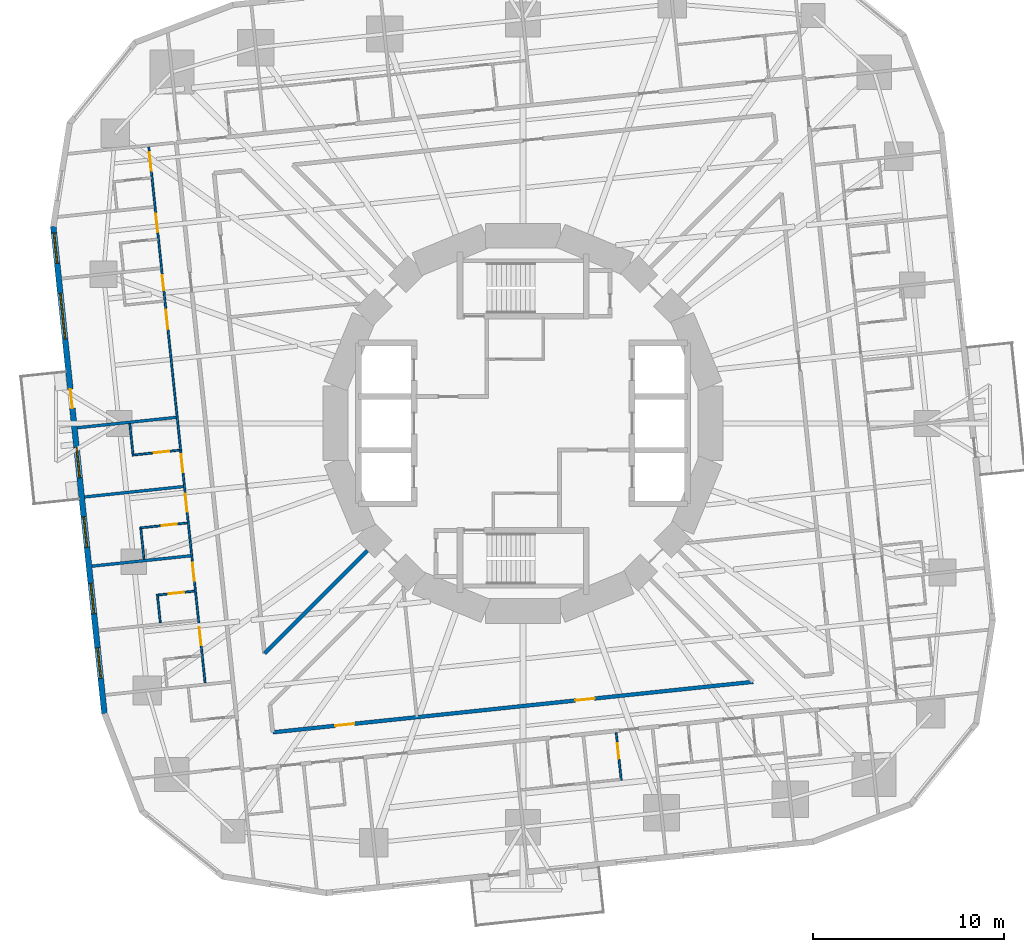
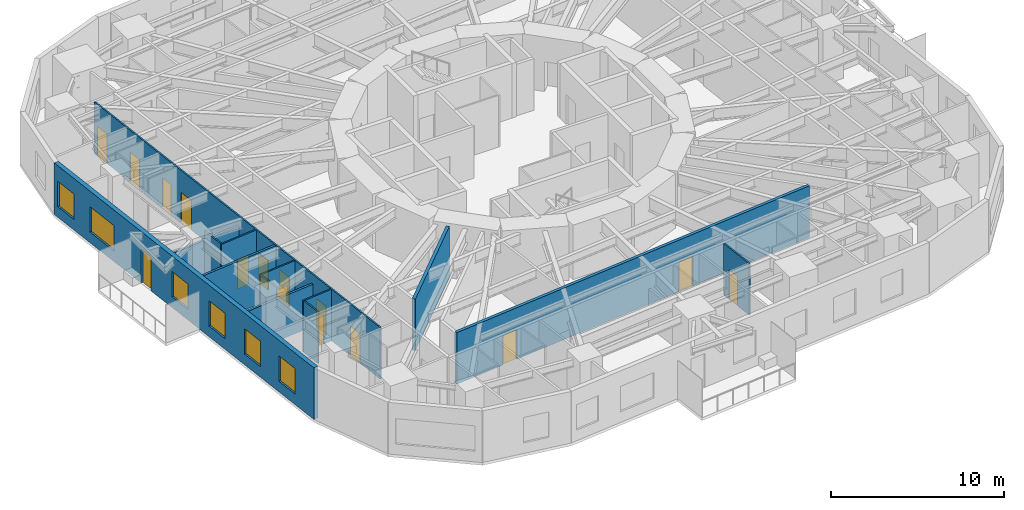
# One storey, part 6 of 14: 15 doors, 14 walls, 6 windows, 21 openings.
"""IFC4 building model written with IfcOpenShell, lengths in metres."""

from ifc_helpers import new_model, si_unit, direction, frame, frame_2d, origin, place, context, subcontext, project, spatial, rectangle, extrude, material, layer, layer_set, type_object, element, fill, save


model = new_model("IFC4")

# Units and contexts
model_context = context("Model", 3, precision=1e-05, world=origin(), true_north=direction((0.0, 1.0)))
body_context = subcontext(model_context, "Body", "Model", "MODEL_VIEW")
ifc_project = project(units=[si_unit("LENGTHUNIT", "METRE"), si_unit("AREAUNIT", "SQUARE_METRE"), si_unit("VOLUMEUNIT", "CUBIC_METRE"), si_unit("PLANEANGLEUNIT", "RADIAN"), si_unit("MASSUNIT", "GRAM", prefix="KILO")], contexts=[model_context])

# Site, building, storey
site_placement = place(None, origin())
site = spatial("IfcSite", under=ifc_project, at=site_placement, CompositionType="ELEMENT")
building_placement = place(site_placement, origin())
building = spatial("IfcBuilding", under=site, at=building_placement, Name="Nakasero Lantern House", CompositionType="ELEMENT")
storey_placement = place(building_placement, frame((0.0, 0.0, 87.449951171875)))
storey = spatial("IfcBuildingStorey", under=building, at=storey_placement, Name="L21", CompositionType="ELEMENT", Elevation=87.449951171875)

# Wall, openings, doors
ifc_material_1 = material(Name="Blockwork", Category="masonry")
ifc_layer_1 = layer(ifc_material_1, 0.10009765625)
ifc_layer_set_1 = layer_set([ifc_layer_1], Name="Cluster hall wall 100")
wall_type_1 = type_object("IfcWallType", Name="Cluster hall wall 100", PredefinedType="PARTITIONING", material=ifc_layer_set_1)
wall_1_placement = place(storey_placement, frame((-19.568603515625, 14.458740234375, 0.0), z_axis=(0.0, 0.0, 1.0), x_axis=(0.10452880444, -0.99452185951, 0.0)))
wall_1 = element("IfcWall", 1, at=wall_1_placement, inside=storey, type_object=wall_type_1, Name="Cluster hall wall L21 HW2-0", PredefinedType="PARTITIONING", context=body_context, shape_type="SweptSolid", body=[
    extrude(rectangle(XDim=28.191162109375, YDim=0.10009765625, at=frame_2d((14.095703125, 0.0))), origin(), (0.0, 0.0, 1.0), 3.650146484375),
])
opening_1_placement = place(wall_1_placement, frame((8.57568359375, 0.0, 0.0)))
opening_1 = element("IfcOpeningElement", 2, at=opening_1_placement, cuts=wall_1, Name="Opening D03", PredefinedType="OPENING", context=body_context, shape_type="SweptSolid", body=[
    extrude(rectangle(XDim=1.0, YDim=2.10009765625, at=frame_2d((0.5, 1.050048828125))), frame((0.0, 0.070068359375, 0.0), z_axis=(0.0, -1.0, 0.0), x_axis=(1.0, 0.0, 0.0)), (0.0, 0.0, 1.0), 0.14013671875),
])
opening_2_placement = place(wall_1_placement, frame((6.75048828125, 0.0, 0.0)))
opening_2 = element("IfcOpeningElement", 3, at=opening_2_placement, cuts=wall_1, Name="Opening D02", PredefinedType="OPENING", context=body_context, shape_type="SweptSolid", body=[
    extrude(rectangle(XDim=0.800048828125, YDim=2.10009765625, at=frame_2d((0.39990234375, 1.050048828125))), frame((0.0, 0.070068359375, 0.0), z_axis=(0.0, -1.0, 0.0), x_axis=(1.0, 0.0, 0.0)), (0.0, 0.0, 1.0), 0.14013671875),
])
opening_3_placement = place(wall_1_placement, frame((0.300048828125, 0.0, 0.0)))
opening_3 = element("IfcOpeningElement", 4, at=opening_3_placement, cuts=wall_1, Name="Opening D01", PredefinedType="OPENING", context=body_context, shape_type="SweptSolid", body=[
    extrude(rectangle(XDim=0.949951171875, YDim=2.10009765625, at=frame_2d((0.47509765625, 1.050048828125))), frame((0.0, 0.070068359375, 0.0), z_axis=(0.0, -1.0, 0.0), x_axis=(1.0, 0.0, 0.0)), (0.0, 0.0, 1.0), 0.14013671875),
])
opening_4_placement = place(wall_1_placement, frame((3.525390625, 0.0, 0.0)))
opening_4 = element("IfcOpeningElement", 5, at=opening_4_placement, cuts=wall_1, Name="Opening D01", PredefinedType="OPENING", context=body_context, shape_type="SweptSolid", body=[
    extrude(rectangle(XDim=0.949951171875, YDim=2.10009765625, at=frame_2d((0.47509765625, 1.050048828125))), frame((0.0, 0.070068359375, 0.0), z_axis=(0.0, -1.0, 0.0), x_axis=(1.0, 0.0, 0.0)), (0.0, 0.0, 1.0), 0.14013671875),
])
opening_5_placement = place(wall_1_placement, frame((16.167724609375, 0.0, 0.0)))
opening_5 = element("IfcOpeningElement", 6, at=opening_5_placement, cuts=wall_1, Name="Opening D01", PredefinedType="OPENING", context=body_context, shape_type="SweptSolid", body=[
    extrude(rectangle(XDim=0.949951171875, YDim=2.10009765625, at=frame_2d((0.47509765625, 1.050048828125))), frame((0.0, 0.070068359375, 0.0), z_axis=(0.0, -1.0, 0.0), x_axis=(1.0, 0.0, 0.0)), (0.0, 0.0, 1.0), 0.14013671875),
])
opening_6_placement = place(wall_1_placement, frame((18.2314453125, 0.0, 0.0)))
opening_6 = element("IfcOpeningElement", 7, at=opening_6_placement, cuts=wall_1, Name="Opening D01", PredefinedType="OPENING", context=body_context, shape_type="SweptSolid", body=[
    extrude(rectangle(XDim=0.949951171875, YDim=2.10009765625, at=frame_2d((0.47509765625, 1.050048828125))), frame((0.0, 0.070068359375, 0.0), z_axis=(0.0, -1.0, 0.0), x_axis=(1.0, 0.0, 0.0)), (0.0, 0.0, 1.0), 0.14013671875),
])
opening_7_placement = place(wall_1_placement, frame((21.8701171875, 0.0, 0.0)))
opening_7 = element("IfcOpeningElement", 8, at=opening_7_placement, cuts=wall_1, Name="Opening D01", PredefinedType="OPENING", context=body_context, shape_type="SweptSolid", body=[
    extrude(rectangle(XDim=0.949951171875, YDim=2.10009765625, at=frame_2d((0.47509765625, 1.050048828125))), frame((0.0, 0.070068359375, 0.0), z_axis=(0.0, -1.0, 0.0), x_axis=(1.0, 0.0, 0.0)), (0.0, 0.0, 1.0), 0.14013671875),
])
opening_8_placement = place(wall_1_placement, frame((25.255615234375, 0.0, 0.0)))
opening_8 = element("IfcOpeningElement", 9, at=opening_8_placement, cuts=wall_1, Name="Opening D01", PredefinedType="OPENING", context=body_context, shape_type="SweptSolid", body=[
    extrude(rectangle(XDim=0.949951171875, YDim=2.10009765625, at=frame_2d((0.47509765625, 1.050048828125))), frame((0.0, 0.070068359375, 0.0), z_axis=(0.0, -1.0, 0.0), x_axis=(1.0, 0.0, 0.0)), (0.0, 0.0, 1.0), 0.14013671875),
])
ifc_material_2 = material(Name="Timber C24", Category="wood")
door_type_1 = type_object("IfcDoorType", Name="Bedroom door FD30S 950", OperationType="SINGLE_SWING_LEFT", PredefinedType="DOOR", material=ifc_material_2)
door_1_placement = place(opening_3_placement, origin())
door_1 = element("IfcDoor", 10, at=door_1_placement, inside=storey, type_object=door_type_1, Name="Door L21 D2-00", OperationType="SINGLE_SWING_LEFT", OverallHeight=2.10009765625, OverallWidth=0.949951171875, PredefinedType="DOOR", context=body_context, shape_type="SweptSolid", body=[
    extrude(rectangle(XDim=0.949951171875, YDim=2.10009765625, at=frame_2d((0.47509765625, 1.050048828125))), frame((0.0, 0.02490234375, 0.0), z_axis=(0.0, -1.0, 0.0), x_axis=(1.0, 0.0, 0.0)), (0.0, 0.0, 1.0), 0.050048828125),
])
fill(opening_3, door_1)
door_2_placement = place(opening_4_placement, origin())
door_2 = element("IfcDoor", 11, at=door_2_placement, inside=storey, type_object=door_type_1, Name="Door L21 D2-01", OperationType="SINGLE_SWING_LEFT", OverallHeight=2.10009765625, OverallWidth=0.949951171875, PredefinedType="DOOR", context=body_context, shape_type="SweptSolid", body=[
    extrude(rectangle(XDim=0.949951171875, YDim=2.10009765625, at=frame_2d((0.47509765625, 1.050048828125))), frame((0.0, 0.02490234375, 0.0), z_axis=(0.0, -1.0, 0.0), x_axis=(1.0, 0.0, 0.0)), (0.0, 0.0, 1.0), 0.050048828125),
])
fill(opening_4, door_2)
door_3_placement = place(opening_5_placement, origin())
door_3 = element("IfcDoor", 12, at=door_3_placement, inside=storey, type_object=door_type_1, Name="Door L21 D2-04", OperationType="SINGLE_SWING_RIGHT", OverallHeight=2.10009765625, OverallWidth=0.949951171875, PredefinedType="DOOR", context=body_context, shape_type="SweptSolid", body=[
    extrude(rectangle(XDim=0.949951171875, YDim=2.10009765625, at=frame_2d((0.47509765625, 1.050048828125))), frame((0.0, 0.02490234375, 0.0), z_axis=(0.0, -1.0, 0.0), x_axis=(1.0, 0.0, 0.0)), (0.0, 0.0, 1.0), 0.050048828125),
])
fill(opening_5, door_3)
door_4_placement = place(opening_6_placement, origin())
door_4 = element("IfcDoor", 13, at=door_4_placement, inside=storey, type_object=door_type_1, Name="Door L21 D2-05", OperationType="SINGLE_SWING_RIGHT", OverallHeight=2.10009765625, OverallWidth=0.949951171875, PredefinedType="DOOR", context=body_context, shape_type="SweptSolid", body=[
    extrude(rectangle(XDim=0.949951171875, YDim=2.10009765625, at=frame_2d((0.47509765625, 1.050048828125))), frame((0.0, 0.02490234375, 0.0), z_axis=(0.0, -1.0, 0.0), x_axis=(1.0, 0.0, 0.0)), (0.0, 0.0, 1.0), 0.050048828125),
])
fill(opening_6, door_4)
door_5_placement = place(opening_7_placement, origin())
door_5 = element("IfcDoor", 14, at=door_5_placement, inside=storey, type_object=door_type_1, Name="Door L21 D2-06", OperationType="SINGLE_SWING_RIGHT", OverallHeight=2.10009765625, OverallWidth=0.949951171875, PredefinedType="DOOR", context=body_context, shape_type="SweptSolid", body=[
    extrude(rectangle(XDim=0.949951171875, YDim=2.10009765625, at=frame_2d((0.47509765625, 1.050048828125))), frame((0.0, 0.02490234375, 0.0), z_axis=(0.0, -1.0, 0.0), x_axis=(1.0, 0.0, 0.0)), (0.0, 0.0, 1.0), 0.050048828125),
])
fill(opening_7, door_5)
door_6_placement = place(opening_8_placement, origin())
door_6 = element("IfcDoor", 15, at=door_6_placement, inside=storey, type_object=door_type_1, Name="Door L21 D2-07", OperationType="SINGLE_SWING_RIGHT", OverallHeight=2.10009765625, OverallWidth=0.949951171875, PredefinedType="DOOR", context=body_context, shape_type="SweptSolid", body=[
    extrude(rectangle(XDim=0.949951171875, YDim=2.10009765625, at=frame_2d((0.47509765625, 1.050048828125))), frame((0.0, 0.02490234375, 0.0), z_axis=(0.0, -1.0, 0.0), x_axis=(1.0, 0.0, 0.0)), (0.0, 0.0, 1.0), 0.050048828125),
])
fill(opening_8, door_6)
ifc_material_3 = material(Name="Timber C24", Category="wood")
door_type_2 = type_object("IfcDoorType", Name="En-suite door 800", OperationType="SINGLE_SWING_RIGHT", PredefinedType="DOOR", material=ifc_material_3)
door_7_placement = place(opening_2_placement, origin())
door_7 = element("IfcDoor", 16, at=door_7_placement, inside=storey, type_object=door_type_2, Name="Door L21 DSH2-0", OperationType="SINGLE_SWING_LEFT", OverallHeight=2.10009765625, OverallWidth=0.800048828125, PredefinedType="DOOR", context=body_context, shape_type="SweptSolid", body=[
    extrude(rectangle(XDim=0.800048828125, YDim=2.10009765625, at=frame_2d((0.39990234375, 1.050048828125))), frame((0.0, 0.02490234375, 0.0), z_axis=(0.0, -1.0, 0.0), x_axis=(1.0, 0.0, 0.0)), (0.0, 0.0, 1.0), 0.050048828125),
])
fill(opening_2, door_7)
ifc_material_4 = material(Name="Timber C24", Category="wood")
door_type_3 = type_object("IfcDoorType", Name="Lounge door FD30S 1000", OperationType="SINGLE_SWING_LEFT", PredefinedType="DOOR", material=ifc_material_4)
door_8_placement = place(opening_1_placement, origin())
door_8 = element("IfcDoor", 17, at=door_8_placement, inside=storey, type_object=door_type_3, Name="Door L21 DH2-0", OperationType="SINGLE_SWING_LEFT", OverallHeight=2.10009765625, OverallWidth=1.0, PredefinedType="DOOR", context=body_context, shape_type="SweptSolid", body=[
    extrude(rectangle(XDim=1.0, YDim=2.10009765625, at=frame_2d((0.5, 1.050048828125))), frame((0.0, 0.02490234375, 0.0), z_axis=(0.0, -1.0, 0.0), x_axis=(1.0, 0.0, 0.0)), (0.0, 0.0, 1.0), 0.050048828125),
])
fill(opening_1, door_8)

ifc_material_5 = material(Name="Blockwork", Category="masonry")
ifc_layer_2 = layer(ifc_material_5, 0.199951171875)
ifc_layer_set_2 = layer_set([ifc_layer_2], Name="Corridor wall 200")
wall_type_2 = type_object("IfcWallType", Name="Corridor wall 200", PredefinedType="PARTITIONING", material=ifc_layer_set_2)
wall_2_placement = place(storey_placement, frame((-13.0830078125, -16.156005859375, 0.0), z_axis=(0.0, 0.0, 1.0), x_axis=(0.994521862783, 0.104528773298, 0.0)))
wall_2 = element("IfcWall", 18, at=wall_2_placement, inside=storey, type_object=wall_type_2, Name="Corridor wall L21 IW3-0", PredefinedType="PARTITIONING", context=body_context, shape_type="SweptSolid", body=[
    extrude(rectangle(XDim=25.2529296875, YDim=0.199951171875, at=frame_2d((12.62646484375, 0.0))), origin(), (0.0, 0.0, 1.0), 3.650146484375),
])
opening_9_placement = place(wall_2_placement, frame((3.287841796875, 0.0, 0.0)))
opening_9 = element("IfcOpeningElement", 19, at=opening_9_placement, cuts=wall_2, Name="Opening D07", PredefinedType="OPENING", context=body_context, shape_type="SweptSolid", body=[
    extrude(rectangle(XDim=1.0, YDim=2.10009765625, at=frame_2d((0.5, 1.050048828125))), frame((0.0, 0.119873046875, 0.0), z_axis=(0.0, -1.0, 0.0), x_axis=(1.0, 0.0, 0.0)), (0.0, 0.0, 1.0), 0.239990234375),
])
opening_10_placement = place(wall_2_placement, frame((15.914306640625, 0.0, 0.0)))
opening_10 = element("IfcOpeningElement", 20, at=opening_10_placement, cuts=wall_2, Name="Opening D07", PredefinedType="OPENING", context=body_context, shape_type="SweptSolid", body=[
    extrude(rectangle(XDim=1.0, YDim=2.10009765625, at=frame_2d((0.5, 1.050048828125))), frame((0.0, 0.119873046875, 0.0), z_axis=(0.0, -1.0, 0.0), x_axis=(1.0, 0.0, 0.0)), (0.0, 0.0, 1.0), 0.239990234375),
])
ifc_material_6 = material(Name="Timber C24", Category="wood")
door_type_4 = type_object("IfcDoorType", Name="Room door FD30S 1000", OperationType="SINGLE_SWING_LEFT", PredefinedType="DOOR", material=ifc_material_6)
door_9_placement = place(opening_9_placement, origin())
door_9 = element("IfcDoor", 21, at=door_9_placement, inside=storey, type_object=door_type_4, Name="Door L21 DI1", OperationType="SINGLE_SWING_LEFT", OverallHeight=2.10009765625, OverallWidth=1.0, PredefinedType="DOOR", context=body_context, shape_type="SweptSolid", body=[
    extrude(rectangle(XDim=1.0, YDim=2.10009765625, at=frame_2d((0.5, 1.050048828125))), frame((0.0, 0.02490234375, 0.0), z_axis=(0.0, -1.0, 0.0), x_axis=(1.0, 0.0, 0.0)), (0.0, 0.0, 1.0), 0.050048828125),
])
fill(opening_9, door_9)
door_10_placement = place(opening_10_placement, origin())
door_10 = element("IfcDoor", 22, at=door_10_placement, inside=storey, type_object=door_type_4, Name="Door L21 DI1S", OperationType="SINGLE_SWING_RIGHT", OverallHeight=2.10009765625, OverallWidth=1.0, PredefinedType="DOOR", context=body_context, shape_type="SweptSolid", body=[
    extrude(rectangle(XDim=1.0, YDim=2.10009765625, at=frame_2d((0.5, 1.050048828125))), frame((0.0, 0.02490234375, 0.0), z_axis=(0.0, -1.0, 0.0), x_axis=(1.0, 0.0, 0.0)), (0.0, 0.0, 1.0), 0.050048828125),
])
fill(opening_10, door_10)

# Wall
wall_3_placement = place(storey_placement, frame((-8.13720703125, -6.65234375, 0.0), z_axis=(0.0, 0.0, 1.0), x_axis=(-0.707106781187, -0.707106781187, 0.0)))
element("IfcWall", 23, at=wall_3_placement, inside=storey, type_object=wall_type_2, Name="Corridor wall L21 PS10b", PredefinedType="PARTITIONING", context=body_context, shape_type="SweptSolid", body=[
    extrude(rectangle(XDim=7.607177734375, YDim=0.199951171875, at=frame_2d((3.8037109375, 0.0))), origin(), (0.0, 0.0, 1.0), 3.650146484375),
])

# Wall, opening, door
ifc_material_7 = material(Name="Blockwork", Category="masonry")
ifc_layer_3 = layer(ifc_material_7, 0.10009765625)
ifc_layer_set_3 = layer_set([ifc_layer_3], Name="En-suite wall 100")
wall_type_3 = type_object("IfcWallType", Name="En-suite wall 100", PredefinedType="PARTITIONING", material=ifc_layer_set_3)
wall_4_placement = place(storey_placement, frame((-17.951904296875, -1.40185546875, 0.0), z_axis=(0.0, 0.0, 1.0), x_axis=(-0.994514546653, -0.104598357995, 0.0)))
wall_4 = element("IfcWall", 24, at=wall_4_placement, inside=storey, type_object=wall_type_3, Name="En-suite wall L21 ES2-04", PredefinedType="PARTITIONING", context=body_context, shape_type="SweptSolid", body=[
    extrude(rectangle(XDim=2.499755859375, YDim=0.10009765625, at=frame_2d((1.25, 0.0))), origin(), (0.0, 0.0, 1.0), 3.650146484375),
])
opening_11_placement = place(wall_4_placement, frame((0.550048828125, 0.0, 0.0)))
opening_11 = element("IfcOpeningElement", 25, at=opening_11_placement, cuts=wall_4, Name="Opening D02", PredefinedType="OPENING", context=body_context, shape_type="SweptSolid", body=[
    extrude(rectangle(XDim=0.800048828125, YDim=2.10009765625, at=frame_2d((0.39990234375, 1.050048828125))), frame((0.0, 0.070068359375, 0.0), z_axis=(0.0, -1.0, 0.0), x_axis=(1.0, 0.0, 0.0)), (0.0, 0.0, 1.0), 0.14013671875),
])
door_11_placement = place(opening_11_placement, origin())
door_11 = element("IfcDoor", 26, at=door_11_placement, inside=storey, type_object=door_type_2, Name="Door L21 DE2-04", OperationType="SINGLE_SWING_LEFT", OverallHeight=2.10009765625, OverallWidth=0.800048828125, PredefinedType="DOOR", context=body_context, shape_type="SweptSolid", body=[
    extrude(rectangle(XDim=0.800048828125, YDim=2.10009765625, at=frame_2d((0.39990234375, 1.050048828125))), frame((0.0, 0.02490234375, 0.0), z_axis=(0.0, -1.0, 0.0), x_axis=(1.0, 0.0, 0.0)), (0.0, 0.0, 1.0), 0.050048828125),
])
fill(opening_11, door_11)

# Wall
wall_5_placement = place(storey_placement, frame((-20.560791015625, -0.01708984375, 0.0), z_axis=(0.0, 0.0, 1.0), x_axis=(0.104517989015, -0.994522996201, 0.0)))
element("IfcWall", 27, at=wall_5_placement, inside=storey, type_object=wall_type_3, Name="En-suite wall L21 EE2-04", PredefinedType="PARTITIONING", context=body_context, shape_type="SweptSolid", body=[
    extrude(rectangle(XDim=1.60009765625, YDim=0.10009765625, at=frame_2d((0.800048828125, 0.0))), origin(), (0.0, 0.0, 1.0), 3.650146484375),
])

# Wall, opening, door
wall_6_placement = place(storey_placement, frame((-17.5517578125, -5.208251953125, 0.0), z_axis=(0.0, 0.0, 1.0), x_axis=(-0.994525767953, -0.104491611519, 0.0)))
wall_6 = element("IfcWall", 28, at=wall_6_placement, inside=storey, type_object=wall_type_3, Name="En-suite wall L21 ES2-05", PredefinedType="PARTITIONING", context=body_context, shape_type="SweptSolid", body=[
    extrude(rectangle(XDim=2.5, YDim=0.10009765625, at=frame_2d((1.25, 0.0))), origin(), (0.0, 0.0, 1.0), 3.650146484375),
])
opening_12_placement = place(wall_6_placement, frame((0.550048828125, 0.0, 0.0)))
opening_12 = element("IfcOpeningElement", 29, at=opening_12_placement, cuts=wall_6, Name="Opening D02", PredefinedType="OPENING", context=body_context, shape_type="SweptSolid", body=[
    extrude(rectangle(XDim=0.800048828125, YDim=2.10009765625, at=frame_2d((0.39990234375, 1.050048828125))), frame((0.0, 0.070068359375, 0.0), z_axis=(0.0, -1.0, 0.0), x_axis=(1.0, 0.0, 0.0)), (0.0, 0.0, 1.0), 0.14013671875),
])
door_12_placement = place(opening_12_placement, origin())
door_12 = element("IfcDoor", 30, at=door_12_placement, inside=storey, type_object=door_type_2, Name="Door L21 DE2-05", OperationType="SINGLE_SWING_LEFT", OverallHeight=2.10009765625, OverallWidth=0.800048828125, PredefinedType="DOOR", context=body_context, shape_type="SweptSolid", body=[
    extrude(rectangle(XDim=0.800048828125, YDim=2.10009765625, at=frame_2d((0.39990234375, 1.050048828125))), frame((0.0, 0.02490234375, 0.0), z_axis=(0.0, -1.0, 0.0), x_axis=(1.0, 0.0, 0.0)), (0.0, 0.0, 1.0), 0.050048828125),
])
fill(opening_12, door_12)

# Wall
wall_7_placement = place(storey_placement, frame((-19.983154296875, -5.513916015625, 0.0), z_axis=(0.0, 0.0, 1.0), x_axis=(0.104517989015, -0.994522996201, 0.0)))
element("IfcWall", 31, at=wall_7_placement, inside=storey, type_object=wall_type_3, Name="En-suite wall L21 EE2-05", PredefinedType="PARTITIONING", context=body_context, shape_type="SweptSolid", body=[
    extrude(rectangle(XDim=1.60009765625, YDim=0.10009765625, at=frame_2d((0.800048828125, 0.0))), origin(), (0.0, 0.0, 1.0), 3.650146484375),
])

# Wall, opening, door
wall_8_placement = place(storey_placement, frame((-17.177001953125, -8.774169921875, 0.0), z_axis=(0.0, 0.0, 1.0), x_axis=(-0.99452550138, -0.104494148666, 0.0)))
wall_8 = element("IfcWall", 32, at=wall_8_placement, inside=storey, type_object=wall_type_3, Name="En-suite wall L21 ES2-06", PredefinedType="PARTITIONING", context=body_context, shape_type="SweptSolid", body=[
    extrude(rectangle(XDim=2.0, YDim=0.10009765625, at=frame_2d((1.0, 0.0))), origin(), (0.0, 0.0, 1.0), 3.650146484375),
])
opening_13_placement = place(wall_8_placement, frame((0.550048828125, 0.0, 0.0)))
opening_13 = element("IfcOpeningElement", 33, at=opening_13_placement, cuts=wall_8, Name="Opening D02", PredefinedType="OPENING", context=body_context, shape_type="SweptSolid", body=[
    extrude(rectangle(XDim=0.800048828125, YDim=2.10009765625, at=frame_2d((0.39990234375, 1.050048828125))), frame((0.0, 0.070068359375, 0.0), z_axis=(0.0, -1.0, 0.0), x_axis=(1.0, 0.0, 0.0)), (0.0, 0.0, 1.0), 0.14013671875),
])
door_13_placement = place(opening_13_placement, origin())
door_13 = element("IfcDoor", 34, at=door_13_placement, inside=storey, type_object=door_type_2, Name="Door L21 DE2-06", OperationType="SINGLE_SWING_LEFT", OverallHeight=2.10009765625, OverallWidth=0.800048828125, PredefinedType="DOOR", context=body_context, shape_type="SweptSolid", body=[
    extrude(rectangle(XDim=0.800048828125, YDim=2.10009765625, at=frame_2d((0.39990234375, 1.050048828125))), frame((0.0, 0.02490234375, 0.0), z_axis=(0.0, -1.0, 0.0), x_axis=(1.0, 0.0, 0.0)), (0.0, 0.0, 1.0), 0.050048828125),
])
fill(opening_13, door_13)

# Wall
wall_9_placement = place(storey_placement, frame((-19.111083984375, -9.027587890625, 0.0), z_axis=(0.0, 0.0, 1.0), x_axis=(0.104630319263, -0.994511184598, 0.0)))
element("IfcWall", 35, at=wall_9_placement, inside=storey, type_object=wall_type_3, Name="En-suite wall L21 EE2-06", PredefinedType="PARTITIONING", context=body_context, shape_type="SweptSolid", body=[
    extrude(rectangle(XDim=1.39990234375, YDim=0.10009765625, at=frame_2d((0.699951171875, 0.0))), origin(), (0.0, 0.0, 1.0), 3.650146484375),
])

# Wall, opening, door
wall_10_placement = place(storey_placement, frame((4.874267578125, -16.17919921875, 0.0), z_axis=(0.0, 0.0, 1.0), x_axis=(0.104491611519, -0.994525767953, 0.0)))
wall_10 = element("IfcWall", 36, at=wall_10_placement, inside=storey, type_object=wall_type_3, Name="En-suite wall L21 ES3-05", PredefinedType="PARTITIONING", context=body_context, shape_type="SweptSolid", body=[
    extrude(rectangle(XDim=2.5, YDim=0.10009765625, at=frame_2d((1.25, 0.0))), origin(), (0.0, 0.0, 1.0), 3.650146484375),
])
opening_14_placement = place(wall_10_placement, frame((0.550048828125, 0.0, 0.0)))
opening_14 = element("IfcOpeningElement", 37, at=opening_14_placement, cuts=wall_10, Name="Opening D02", PredefinedType="OPENING", context=body_context, shape_type="SweptSolid", body=[
    extrude(rectangle(XDim=0.800048828125, YDim=2.10009765625, at=frame_2d((0.39990234375, 1.050048828125))), frame((0.0, 0.070068359375, 0.0), z_axis=(0.0, -1.0, 0.0), x_axis=(1.0, 0.0, 0.0)), (0.0, 0.0, 1.0), 0.14013671875),
])
door_14_placement = place(opening_14_placement, origin())
door_14 = element("IfcDoor", 38, at=door_14_placement, inside=storey, type_object=door_type_2, Name="Door L21 DE3-05", OperationType="SINGLE_SWING_LEFT", OverallHeight=2.10009765625, OverallWidth=0.800048828125, PredefinedType="DOOR", context=body_context, shape_type="SweptSolid", body=[
    extrude(rectangle(XDim=0.800048828125, YDim=2.10009765625, at=frame_2d((0.39990234375, 1.050048828125))), frame((0.0, 0.02490234375, 0.0), z_axis=(0.0, -1.0, 0.0), x_axis=(1.0, 0.0, 0.0)), (0.0, 0.0, 1.0), 0.050048828125),
])
fill(opening_14, door_14)

# Wall, openings, door, windows
ifc_material_8 = material(Name="Aluminium rainscreen on blockwork", Category="masonry")
ifc_layer_4 = layer(ifc_material_8, 0.300048828125)
ifc_layer_set_4 = layer_set([ifc_layer_4], Name="Facade wall 300")
wall_type_4 = type_object("IfcWallType", Name="Facade wall 300", PredefinedType="SOLIDWALL", material=ifc_layer_set_4)
wall_11_placement = place(storey_placement, frame((-24.56005859375, 10.2890625, 0.0), z_axis=(0.0, 0.0, 1.0), x_axis=(0.104532378096, -0.994521483895, 0.0)))
wall_11 = element("IfcWall", 39, at=wall_11_placement, inside=storey, type_object=wall_type_4, Name="Facade wall L21 FW2S", PredefinedType="SOLIDWALL", context=body_context, shape_type="SweptSolid", body=[
    extrude(rectangle(XDim=25.599853515625, YDim=0.300048828125, at=frame_2d((12.7998046875, 0.0))), origin(), (0.0, 0.0, 1.0), 3.650146484375),
])
opening_15_placement = place(wall_11_placement, frame((0.337890625, 0.0, 0.75)))
opening_15 = element("IfcOpeningElement", 40, at=opening_15_placement, cuts=wall_11, Name="Opening W01", PredefinedType="OPENING", context=body_context, shape_type="SweptSolid", body=[
    extrude(rectangle(XDim=1.60009765625, YDim=1.800048828125, at=frame_2d((0.800048828125, 0.89990234375))), frame((0.0, 0.169921875, 0.0), z_axis=(0.0, -1.0, 0.0), x_axis=(1.0, 0.0, 0.0)), (0.0, 0.0, 1.0), 0.340087890625),
])
opening_16_placement = place(wall_11_placement, frame((11.612060546875, 0.0, 0.75)))
opening_16 = element("IfcOpeningElement", 41, at=opening_16_placement, cuts=wall_11, Name="Opening W01", PredefinedType="OPENING", context=body_context, shape_type="SweptSolid", body=[
    extrude(rectangle(XDim=1.60009765625, YDim=1.800048828125, at=frame_2d((0.800048828125, 0.89990234375))), frame((0.0, 0.169921875, 0.0), z_axis=(0.0, -1.0, 0.0), x_axis=(1.0, 0.0, 0.0)), (0.0, 0.0, 1.0), 0.340087890625),
])
opening_17_placement = place(wall_11_placement, frame((15.250732421875, 0.0, 0.75)))
opening_17 = element("IfcOpeningElement", 42, at=opening_17_placement, cuts=wall_11, Name="Opening W01", PredefinedType="OPENING", context=body_context, shape_type="SweptSolid", body=[
    extrude(rectangle(XDim=1.60009765625, YDim=1.800048828125, at=frame_2d((0.800048828125, 0.89990234375))), frame((0.0, 0.169921875, 0.0), z_axis=(0.0, -1.0, 0.0), x_axis=(1.0, 0.0, 0.0)), (0.0, 0.0, 1.0), 0.340087890625),
])
opening_18_placement = place(wall_11_placement, frame((18.7626953125, 0.0, 0.75)))
opening_18 = element("IfcOpeningElement", 43, at=opening_18_placement, cuts=wall_11, Name="Opening W01", PredefinedType="OPENING", context=body_context, shape_type="SweptSolid", body=[
    extrude(rectangle(XDim=1.60009765625, YDim=1.800048828125, at=frame_2d((0.800048828125, 0.89990234375))), frame((0.0, 0.169921875, 0.0), z_axis=(0.0, -1.0, 0.0), x_axis=(1.0, 0.0, 0.0)), (0.0, 0.0, 1.0), 0.340087890625),
])
opening_19_placement = place(wall_11_placement, frame((22.1484375, 0.0, 0.75)))
opening_19 = element("IfcOpeningElement", 44, at=opening_19_placement, cuts=wall_11, Name="Opening W01", PredefinedType="OPENING", context=body_context, shape_type="SweptSolid", body=[
    extrude(rectangle(XDim=1.60009765625, YDim=1.800048828125, at=frame_2d((0.800048828125, 0.89990234375))), frame((0.0, 0.169921875, 0.0), z_axis=(0.0, -1.0, 0.0), x_axis=(1.0, 0.0, 0.0)), (0.0, 0.0, 1.0), 0.340087890625),
])
opening_20_placement = place(wall_11_placement, frame((3.51123046875, 0.0, 0.75)))
opening_20 = element("IfcOpeningElement", 45, at=opening_20_placement, cuts=wall_11, Name="Opening W03", PredefinedType="OPENING", context=body_context, shape_type="SweptSolid", body=[
    extrude(rectangle(XDim=2.39990234375, YDim=1.800048828125, at=frame_2d((1.199951171875, 0.89990234375))), frame((0.0, 0.169921875, 0.0), z_axis=(0.0, -1.0, 0.0), x_axis=(1.0, 0.0, 0.0)), (0.0, 0.0, 1.0), 0.340087890625),
])
opening_21_placement = place(wall_11_placement, frame((8.558837890625, 0.0, 0.0)))
opening_21 = element("IfcOpeningElement", 46, at=opening_21_placement, cuts=wall_11, Name="Opening D04", PredefinedType="OPENING", context=body_context, shape_type="SweptSolid", body=[
    extrude(rectangle(XDim=1.0, YDim=2.39990234375, at=frame_2d((0.5, 1.199951171875))), frame((0.0, 0.169921875, 0.0), z_axis=(0.0, -1.0, 0.0), x_axis=(1.0, 0.0, 0.0)), (0.0, 0.0, 1.0), 0.340087890625),
])
ifc_material_9 = material(Name="Aluminium 6063-T6 and glass", Category="aluminium")
door_type_5 = type_object("IfcDoorType", Name="Balcony door 1000x2400", OperationType="SINGLE_SWING_RIGHT", PredefinedType="DOOR", material=ifc_material_9)
door_15_placement = place(opening_21_placement, origin())
door_15 = element("IfcDoor", 47, at=door_15_placement, inside=storey, type_object=door_type_5, Name="Balcony door L21 DB2", OperationType="SINGLE_SWING_RIGHT", OverallHeight=2.39990234375, OverallWidth=1.0, PredefinedType="DOOR", context=body_context, shape_type="SweptSolid", body=[
    extrude(rectangle(XDim=1.0, YDim=2.39990234375, at=frame_2d((0.5, 1.199951171875))), frame((0.0, 0.02490234375, 0.0), z_axis=(0.0, -1.0, 0.0), x_axis=(1.0, 0.0, 0.0)), (0.0, 0.0, 1.0), 0.050048828125),
])
fill(opening_21, door_15)
ifc_material_10 = material(Name="Aluminium 6063-T6 and glass", Category="aluminium")
window_type_1 = type_object("IfcWindowType", Name="Bedroom window 1600x1800", PartitioningType="SINGLE_PANEL", PredefinedType="WINDOW", material=ifc_material_10)
window_1_placement = place(opening_15_placement, origin())
window_1 = element("IfcWindow", 48, at=window_1_placement, inside=storey, type_object=window_type_1, Name="Window L21 WN2-01", OverallHeight=1.800048828125, OverallWidth=1.60009765625, PartitioningType="SINGLE_PANEL", PredefinedType="WINDOW", context=body_context, shape_type="SweptSolid", body=[
    extrude(rectangle(XDim=1.60009765625, YDim=1.800048828125, at=frame_2d((0.800048828125, 0.89990234375))), frame((0.0, 0.030029296875, 0.0), z_axis=(0.0, -1.0, 0.0), x_axis=(1.0, 0.0, 0.0)), (0.0, 0.0, 1.0), 0.06005859375),
])
fill(opening_15, window_1)
window_2_placement = place(opening_16_placement, origin())
window_2 = element("IfcWindow", 49, at=window_2_placement, inside=storey, type_object=window_type_1, Name="Window L21 WN2-04", OverallHeight=1.800048828125, OverallWidth=1.60009765625, PartitioningType="SINGLE_PANEL", PredefinedType="WINDOW", context=body_context, shape_type="SweptSolid", body=[
    extrude(rectangle(XDim=1.60009765625, YDim=1.800048828125, at=frame_2d((0.800048828125, 0.89990234375))), frame((0.0, 0.030029296875, 0.0), z_axis=(0.0, -1.0, 0.0), x_axis=(1.0, 0.0, 0.0)), (0.0, 0.0, 1.0), 0.06005859375),
])
fill(opening_16, window_2)
window_3_placement = place(opening_17_placement, origin())
window_3 = element("IfcWindow", 50, at=window_3_placement, inside=storey, type_object=window_type_1, Name="Window L21 WN2-05", OverallHeight=1.800048828125, OverallWidth=1.60009765625, PartitioningType="SINGLE_PANEL", PredefinedType="WINDOW", context=body_context, shape_type="SweptSolid", body=[
    extrude(rectangle(XDim=1.60009765625, YDim=1.800048828125, at=frame_2d((0.800048828125, 0.89990234375))), frame((0.0, 0.030029296875, 0.0), z_axis=(0.0, -1.0, 0.0), x_axis=(1.0, 0.0, 0.0)), (0.0, 0.0, 1.0), 0.06005859375),
])
fill(opening_17, window_3)
window_4_placement = place(opening_18_placement, origin())
window_4 = element("IfcWindow", 51, at=window_4_placement, inside=storey, type_object=window_type_1, Name="Window L21 WN2-06", OverallHeight=1.800048828125, OverallWidth=1.60009765625, PartitioningType="SINGLE_PANEL", PredefinedType="WINDOW", context=body_context, shape_type="SweptSolid", body=[
    extrude(rectangle(XDim=1.60009765625, YDim=1.800048828125, at=frame_2d((0.800048828125, 0.89990234375))), frame((0.0, 0.030029296875, 0.0), z_axis=(0.0, -1.0, 0.0), x_axis=(1.0, 0.0, 0.0)), (0.0, 0.0, 1.0), 0.06005859375),
])
fill(opening_18, window_4)
window_5_placement = place(opening_19_placement, origin())
window_5 = element("IfcWindow", 52, at=window_5_placement, inside=storey, type_object=window_type_1, Name="Window L21 WN2-07", OverallHeight=1.800048828125, OverallWidth=1.60009765625, PartitioningType="SINGLE_PANEL", PredefinedType="WINDOW", context=body_context, shape_type="SweptSolid", body=[
    extrude(rectangle(XDim=1.60009765625, YDim=1.800048828125, at=frame_2d((0.800048828125, 0.89990234375))), frame((0.0, 0.030029296875, 0.0), z_axis=(0.0, -1.0, 0.0), x_axis=(1.0, 0.0, 0.0)), (0.0, 0.0, 1.0), 0.06005859375),
])
fill(opening_19, window_5)
ifc_material_11 = material(Name="Aluminium 6063-T6 and glass", Category="aluminium")
window_type_2 = type_object("IfcWindowType", Name="Lounge window 2400x1800", PartitioningType="SINGLE_PANEL", PredefinedType="WINDOW", material=ifc_material_11)
window_6_placement = place(opening_20_placement, origin())
window_6 = element("IfcWindow", 53, at=window_6_placement, inside=storey, type_object=window_type_2, Name="Window L21 WK2", OverallHeight=1.800048828125, OverallWidth=2.39990234375, PartitioningType="SINGLE_PANEL", PredefinedType="WINDOW", context=body_context, shape_type="SweptSolid", body=[
    extrude(rectangle(XDim=2.39990234375, YDim=1.800048828125, at=frame_2d((1.199951171875, 0.89990234375))), frame((0.0, 0.030029296875, 0.0), z_axis=(0.0, -1.0, 0.0), x_axis=(1.0, 0.0, 0.0)), (0.0, 0.0, 1.0), 0.06005859375),
])
fill(opening_20, window_6)

# Walls
ifc_material_12 = material(Name="Blockwork", Category="masonry")
ifc_layer_5 = layer(ifc_material_12, 0.14990234375)
ifc_layer_set_5 = layer_set([ifc_layer_5], Name="Party wall 150")
wall_type_5 = type_object("IfcWallType", Name="Party wall 150", PredefinedType="PARTITIONING", material=ifc_layer_set_5)
wall_12_placement = place(storey_placement, frame((-18.132080078125, 0.3134765625, 0.0), z_axis=(0.0, 0.0, 1.0), x_axis=(-0.994523959761, -0.104508820017, 0.0)))
element("IfcWall", 54, at=wall_12_placement, inside=storey, type_object=wall_type_5, Name="Party wall L21 PW2-04", PredefinedType="PARTITIONING", context=body_context, shape_type="SweptSolid", body=[
    extrude(rectangle(XDim=5.2001953125, YDim=0.14990234375, at=frame_2d((2.60009765625, 0.0))), origin(), (0.0, 0.0, 1.0), 2.966552734375),
])
wall_13_placement = place(storey_placement, frame((-17.751708984375, -3.30517578125, 0.0), z_axis=(0.0, 0.0, 1.0), x_axis=(-0.994523959761, -0.104508820017, 0.0)))
element("IfcWall", 55, at=wall_13_placement, inside=storey, type_object=wall_type_5, Name="Party wall L21 PW2-05", PredefinedType="PARTITIONING", context=body_context, shape_type="SweptSolid", body=[
    extrude(rectangle(XDim=5.2001953125, YDim=0.14990234375, at=frame_2d((2.60009765625, 0.0))), origin(), (0.0, 0.0, 1.0), 3.650146484375),
])
wall_14_placement = place(storey_placement, frame((-17.371337890625, -6.923828125, 0.0), z_axis=(0.0, 0.0, 1.0), x_axis=(-0.994523959761, -0.104508820017, 0.0)))
element("IfcWall", 56, at=wall_14_placement, inside=storey, type_object=wall_type_5, Name="Party wall L21 PW2-06", PredefinedType="PARTITIONING", context=body_context, shape_type="SweptSolid", body=[
    extrude(rectangle(XDim=5.2001953125, YDim=0.14990234375, at=frame_2d((2.60009765625, 0.0))), origin(), (0.0, 0.0, 1.0), 2.966552734375),
])

save(model, "model.ifc")
